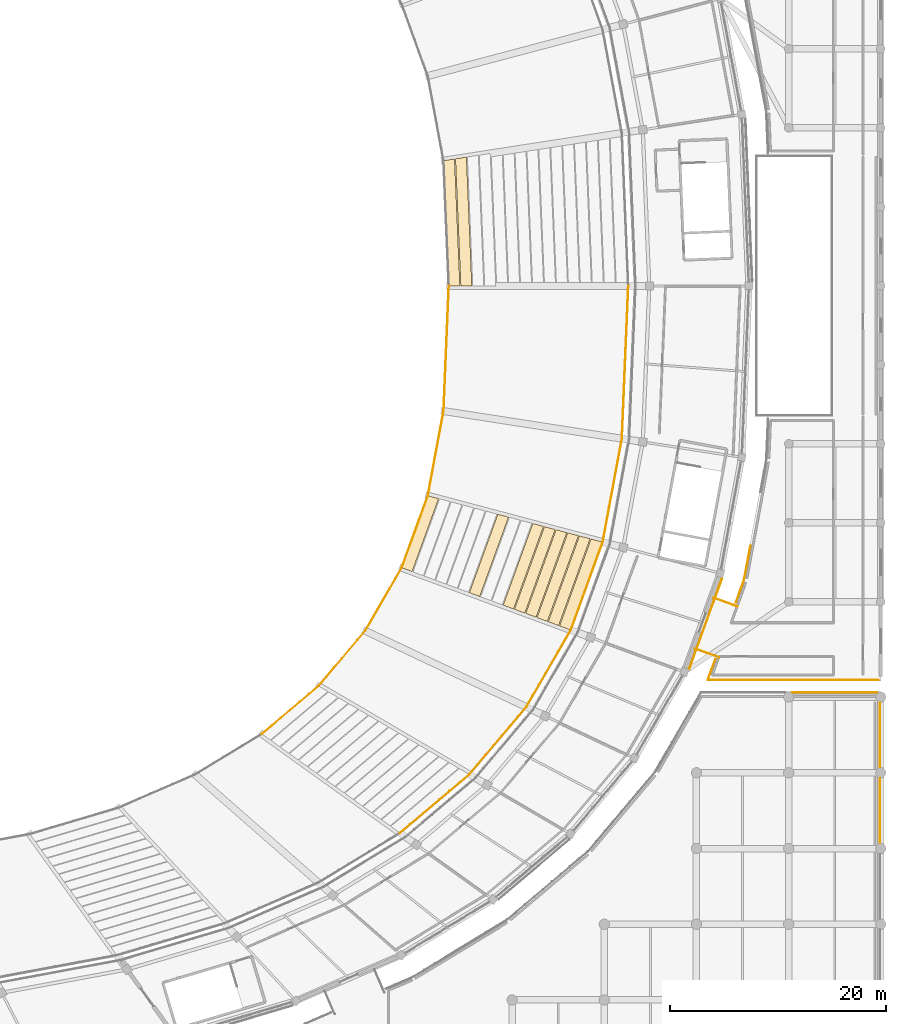
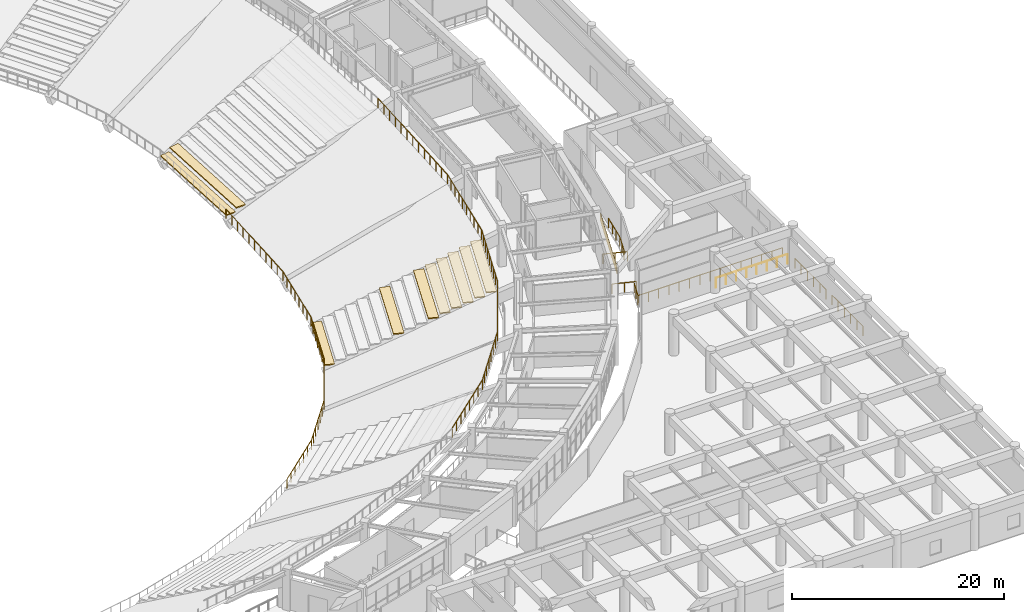
# One storey, part 126 of 137: 11 coverings, 9 railings.
"""IFC4 building model written with IfcOpenShell, lengths in metres."""

from ifc_helpers import new_model, si_unit, direction, frame, origin, origin_2d, place, context, subcontext, project, spatial, polyline, rectangle, circle, outline, extrude, material, layer, layer_set, type_object, element, save


model = new_model("IFC4")

# Units and contexts
model_context = context("Model", 3, precision=1e-05, world=origin(), true_north=direction((0.0, 1.0)))
body_context = subcontext(model_context, "Body", "Model", "MODEL_VIEW")
ifc_project = project(units=[si_unit("LENGTHUNIT", "METRE"), si_unit("AREAUNIT", "SQUARE_METRE"), si_unit("VOLUMEUNIT", "CUBIC_METRE"), si_unit("PLANEANGLEUNIT", "RADIAN"), si_unit("MASSUNIT", "GRAM", prefix="KILO")], contexts=[model_context])

# Site, building, storey
site_placement = place(None, origin())
site = spatial("IfcSite", under=ifc_project, at=site_placement, CompositionType="ELEMENT")
building_placement = place(site_placement, origin())
building = spatial("IfcBuilding", under=site, at=building_placement, Name="Mphavela Belvedere Stadium", CompositionType="ELEMENT")
storey_placement = place(building_placement, frame((0.0, 0.0, 19.199951171875)))
storey = spatial("IfcBuildingStorey", under=building, at=storey_placement, Name="L04", CompositionType="ELEMENT", Elevation=19.199951171875)

# Coverings
ifc_material_1 = material(Name="Carved classical limestone entablature frieze cladding", Category="masonry")
ifc_layer_1 = layer(ifc_material_1, 0.06005859375)
ifc_layer_set_1 = layer_set([ifc_layer_1], Name="Carved classical limestone entablature frieze cladding")
covering_type_1 = type_object("IfcCoveringType", Name="COV-FRIEZE-CLAD", PredefinedType="CLADDING", material=ifc_layer_set_1)
covering_1_placement = place(storey_placement, frame((213.811279296875, 55.7685546875, 3.594970703125), z_axis=(0.0, 0.0, 1.0), x_axis=(0.341035912161, 0.940050268133, 0.0)))
element("IfcCovering", 1, at=covering_1_placement, inside=storey, type_object=covering_type_1, Name="Classical entablature frieze cladding L04-46", PredefinedType="CLADDING", context=body_context, shape_type="SweptSolid", body=[
    extrude(rectangle(XDim=8.905517578125, YDim=0.06005859375, at=origin_2d()), origin(), (0.0, 0.0, 1.0), 0.85009765625),
])
ifc_material_2 = material(Name="Precast seating row terrazzo finish", Category="concrete")
ifc_layer_2 = layer(ifc_material_2, 0.1201171875)
ifc_layer_set_2 = layer_set([ifc_layer_2], Name="Precast seating row terrazzo finish")
covering_type_2 = type_object("IfcCoveringType", Name="COV-SEAT-ROW-U", PredefinedType="FLOORING", material=ifc_layer_set_2)
covering_2_placement = place(storey_placement, frame((0.0, 0.0, -3.4033203125)))
element("IfcCovering", 2, at=covering_2_placement, inside=storey, type_object=covering_type_2, Name="Upper stand seating row bench B01-R01", PredefinedType="FLOORING", context=body_context, shape_type="SweptSolid", body=[
    extrude(outline(polyline([(190.077880859375, 87.0), (189.5927734375, 98.56982421875), (190.603515625, 98.7265625), (191.09521484375, 87.0), (190.077880859375, 87.0)])), origin(), (0.0, 0.0, 1.0), 0.1201171875),
])
covering_3_placement = place(storey_placement, frame((0.0, 0.0, -2.936767578125)))
element("IfcCovering", 3, at=covering_3_placement, inside=storey, type_object=covering_type_2, Name="Upper stand seating row bench B01-R02", PredefinedType="FLOORING", context=body_context, shape_type="SweptSolid", body=[
    extrude(outline(polyline([(191.183837890625, 87.0), (190.69140625, 98.740234375), (191.7021484375, 98.89697265625), (192.201171875, 87.0), (191.183837890625, 87.0)])), origin(), (0.0, 0.0, 1.0), 0.1201171875),
])
covering_4_placement = place(storey_placement, frame((0.0, 0.0, -3.4033203125)))
element("IfcCovering", 4, at=covering_4_placement, inside=storey, type_object=covering_type_2, Name="Upper stand seating row bench B46-R01", PredefinedType="FLOORING", context=body_context, shape_type="SweptSolid", body=[
    extrude(outline(polyline([(185.72314453125, 60.9453125), (188.13916015625, 67.6044921875), (189.130126953125, 67.341552734375), (186.681396484375, 60.592041015625), (185.72314453125, 60.9453125)])), origin(), (0.0, 0.0, 1.0), 0.1201171875),
])
covering_5_placement = place(storey_placement, frame((0.0, 0.0, -0.603271484375)))
element("IfcCovering", 5, at=covering_5_placement, inside=storey, type_object=covering_type_2, Name="Upper stand seating row bench B46-R07", PredefinedType="FLOORING", context=body_context, shape_type="SweptSolid", body=[
    extrude(outline(polyline([(191.97314453125, 58.642578125), (194.6025390625, 65.890380859375), (195.593505859375, 65.62744140625), (192.931396484375, 58.28955078125), (191.97314453125, 58.642578125)])), origin(), (0.0, 0.0, 1.0), 0.1201171875),
])
covering_6_placement = place(storey_placement, frame((0.0, 0.0, 0.796630859375)))
element("IfcCovering", 6, at=covering_6_placement, inside=storey, type_object=covering_type_2, Name="Upper stand seating row bench B46-R10", PredefinedType="FLOORING", context=body_context, shape_type="SweptSolid", body=[
    extrude(outline(polyline([(195.09814453125, 57.491455078125), (197.834228515625, 65.033203125), (198.8251953125, 64.7705078125), (196.056396484375, 57.138427734375), (195.09814453125, 57.491455078125)])), origin(), (0.0, 0.0, 1.0), 0.1201171875),
])
covering_7_placement = place(storey_placement, frame((0.0, 0.0, 1.263427734375)))
element("IfcCovering", 7, at=covering_7_placement, inside=storey, type_object=covering_type_2, Name="Upper stand seating row bench B46-R11", PredefinedType="FLOORING", context=body_context, shape_type="SweptSolid", body=[
    extrude(outline(polyline([(196.139892578125, 57.107666015625), (198.91162109375, 64.74755859375), (199.902587890625, 64.48486328125), (197.09814453125, 56.754638671875), (196.139892578125, 57.107666015625)])), origin(), (0.0, 0.0, 1.0), 0.119873046875),
])
covering_8_placement = place(storey_placement, frame((0.0, 0.0, 1.72998046875)))
element("IfcCovering", 8, at=covering_8_placement, inside=storey, type_object=covering_type_2, Name="Upper stand seating row bench B46-R12", PredefinedType="FLOORING", context=body_context, shape_type="SweptSolid", body=[
    extrude(outline(polyline([(197.181396484375, 56.723876953125), (199.98876953125, 64.4619140625), (200.979736328125, 64.19921875), (198.139892578125, 56.370849609375), (197.181396484375, 56.723876953125)])), origin(), (0.0, 0.0, 1.0), 0.1201171875),
])
covering_9_placement = place(storey_placement, frame((0.0, 0.0, 2.19677734375)))
element("IfcCovering", 9, at=covering_9_placement, inside=storey, type_object=covering_type_2, Name="Upper stand seating row bench B46-R13", PredefinedType="FLOORING", context=body_context, shape_type="SweptSolid", body=[
    extrude(outline(polyline([(198.22314453125, 56.340087890625), (201.06591796875, 64.17626953125), (202.05712890625, 63.91357421875), (199.181396484375, 55.987060546875), (198.22314453125, 56.340087890625)])), origin(), (0.0, 0.0, 1.0), 0.119873046875),
])
covering_10_placement = place(storey_placement, frame((0.0, 0.0, 2.663330078125)))
element("IfcCovering", 10, at=covering_10_placement, inside=storey, type_object=covering_type_2, Name="Upper stand seating row bench B46-R14", PredefinedType="FLOORING", context=body_context, shape_type="SweptSolid", body=[
    extrude(outline(polyline([(199.264892578125, 55.956298828125), (202.143310546875, 63.890625), (203.13427734375, 63.627685546875), (200.22314453125, 55.603515625), (199.264892578125, 55.956298828125)])), origin(), (0.0, 0.0, 1.0), 0.1201171875),
])
covering_11_placement = place(storey_placement, frame((0.0, 0.0, 3.130126953125)))
element("IfcCovering", 11, at=covering_11_placement, inside=storey, type_object=covering_type_2, Name="Upper stand seating row bench B46-R15", PredefinedType="FLOORING", context=body_context, shape_type="SweptSolid", body=[
    extrude(outline(polyline([(200.306396484375, 55.57275390625), (203.220458984375, 63.60498046875), (204.21142578125, 63.342041015625), (201.264892578125, 55.219482421875), (200.306396484375, 55.57275390625)])), origin(), (0.0, 0.0, 1.0), 0.119873046875),
])

# Railings
ifc_material_3 = material(Name="Bronze and laminated glass stadium balustrade", Category="glass")
railing_type = type_object("IfcRailingType", Name="RAL-BALUSTRADE-1120", PredefinedType="BALUSTRADE", material=ifc_material_3)
railing_1_placement = place(storey_placement, frame((212.845703125, 53.459228515625, 0.0)))
element("IfcRailing", 12, at=railing_1_placement, inside=storey, type_object=railing_type, Name="Colonnade link bridge balustrade L04-46A", PredefinedType="BALUSTRADE", context=body_context, shape_type="SweptSolid", body=[
    extrude(circle(Radius=0.02392578125, at=origin_2d()), frame((0.0, 0.0, 1.09619140625), z_axis=(0.940044916205, -0.341050664151, 0.0), x_axis=(0.341050664151, 0.940044916205, 0.0)), (0.0, 0.0, 1.0), 2.35009765625),
    extrude(circle(Radius=0.02099609375, at=origin_2d()), origin(), (0.0, 0.0, 1.0), 1.072021484375),
    extrude(circle(Radius=0.02099609375, at=origin_2d()), frame((1.1044921875, -0.40087890625, 0.0)), (0.0, 0.0, 1.0), 1.072021484375),
    extrude(circle(Radius=0.02099609375, at=origin_2d()), frame((2.209228515625, -0.801513671875, 0.0)), (0.0, 0.0, 1.0), 1.072021484375),
])
railing_2_placement = place(storey_placement, frame((214.55078125, 58.159423828125, 0.0)))
element("IfcRailing", 13, at=railing_2_placement, inside=storey, type_object=railing_type, Name="Colonnade link bridge balustrade L04-46B", PredefinedType="BALUSTRADE", context=body_context, shape_type="SweptSolid", body=[
    extrude(circle(Radius=0.02392578125, at=origin_2d()), frame((0.0, 0.0, 1.09619140625), z_axis=(0.940078218368, -0.340958858734, 0.0), x_axis=(0.340958858734, 0.940078218368, 0.0)), (0.0, 0.0, 1.0), 2.35009765625),
    extrude(circle(Radius=0.02099609375, at=origin_2d()), origin(), (0.0, 0.0, 1.0), 1.072021484375),
    extrude(circle(Radius=0.02099609375, at=origin_2d()), frame((1.1044921875, -0.400634765625, 0.0)), (0.0, 0.0, 1.0), 1.072021484375),
    extrude(circle(Radius=0.02099609375, at=origin_2d()), frame((2.209228515625, -0.80126953125, 0.0)), (0.0, 0.0, 1.0), 1.072021484375),
])
railing_3_placement = place(storey_placement, frame((172.798583984375, 45.587646484375, -3.75)))
element("IfcRailing", 14, at=railing_3_placement, inside=storey, type_object=railing_type, Name="Bowl safety balustrade t2_front S8", PredefinedType="BALUSTRADE", context=body_context, shape_type="SweptSolid", body=[
    extrude(circle(Radius=0.02392578125, at=origin_2d()), frame((0.0, 0.0, 1.09619140625), z_axis=(0.764246549785, 0.644924190229, 0.0), x_axis=(-0.644924190229, 0.764246549785, 0.0)), (0.0, 0.0, 1.0), 6.862548828125),
    extrude(circle(Radius=0.02392578125, at=origin_2d()), frame((5.24462890625, 4.42578125, 1.09619140625), z_axis=(0.645180343886, 0.764030316063, 0.0), x_axis=(-0.764030316063, 0.645180343886, 0.0)), (0.0, 0.0, 1.0), 6.682373046875),
    extrude(circle(Radius=0.02392578125, at=origin_2d()), frame((9.555908203125, 9.53125, 1.09619140625), z_axis=(0.500531411911, 0.865718375507, 0.0), x_axis=(-0.865718375507, 0.500531411911, 0.0)), (0.0, 0.0, 1.0), 6.730224609375),
    extrude(circle(Radius=0.02392578125, at=origin_2d()), frame((12.924560546875, 15.357666015625, 1.09619140625), z_axis=(0.341056708776, 0.940042723178, 0.0), x_axis=(-0.940042723178, 0.341056708776, 0.0)), (0.0, 0.0, 1.0), 7.083984375),
    extrude(circle(Radius=0.02392578125, at=origin_2d()), frame((15.340576171875, 22.016845703125, 1.09619140625), z_axis=(0.18262523239, 0.983182599772, 0.0), x_axis=(-0.983182599772, 0.18262523239, 0.0)), (0.0, 0.0, 1.0), 7.95947265625),
    extrude(circle(Radius=0.02392578125, at=origin_2d()), frame((16.794189453125, 29.842529296875, 1.09619140625), z_axis=(0.04189186986, 0.99912215031, 0.0), x_axis=(-0.99912215031, 0.04189186986, 0.0)), (0.0, 0.0, 1.0), 11.580078125),
    extrude(circle(Radius=0.02099609375, at=origin_2d()), origin(), (0.0, 0.0, 1.0), 1.072021484375),
    extrude(circle(Radius=0.02099609375, at=origin_2d()), frame((0.8740234375, 0.737548828125, 0.0)), (0.0, 0.0, 1.0), 1.072021484375),
    extrude(circle(Radius=0.02099609375, at=origin_2d()), frame((1.748291015625, 1.475341796875, 0.0)), (0.0, 0.0, 1.0), 1.072021484375),
    extrude(circle(Radius=0.02099609375, at=origin_2d()), frame((2.622314453125, 2.212890625, 0.0)), (0.0, 0.0, 1.0), 1.072021484375),
    extrude(circle(Radius=0.02099609375, at=origin_2d()), frame((3.496337890625, 2.950439453125, 0.0)), (0.0, 0.0, 1.0), 1.072021484375),
    extrude(circle(Radius=0.02099609375, at=origin_2d()), frame((4.37060546875, 3.688232421875, 0.0)), (0.0, 0.0, 1.0), 1.072021484375),
    extrude(circle(Radius=0.02099609375, at=origin_2d()), frame((5.24462890625, 4.42578125, 0.0)), (0.0, 0.0, 1.0), 1.072021484375),
    extrude(circle(Radius=0.02099609375, at=origin_2d()), frame((5.963134765625, 5.276611328125, 0.0)), (0.0, 0.0, 1.0), 1.072021484375),
    extrude(circle(Radius=0.02099609375, at=origin_2d()), frame((6.681640625, 6.127685546875, 0.0)), (0.0, 0.0, 1.0), 1.072021484375),
    extrude(circle(Radius=0.02099609375, at=origin_2d()), frame((7.400390625, 6.978515625, 0.0)), (0.0, 0.0, 1.0), 1.072021484375),
    extrude(circle(Radius=0.02099609375, at=origin_2d()), frame((8.118896484375, 7.829345703125, 0.0)), (0.0, 0.0, 1.0), 1.072021484375),
    extrude(circle(Radius=0.02099609375, at=origin_2d()), frame((8.83740234375, 8.680419921875, 0.0)), (0.0, 0.0, 1.0), 1.072021484375),
    extrude(circle(Radius=0.02099609375, at=origin_2d()), frame((9.555908203125, 9.53125, 0.0)), (0.0, 0.0, 1.0), 1.072021484375),
    extrude(circle(Radius=0.02099609375, at=origin_2d()), frame((10.117431640625, 10.50244140625, 0.0)), (0.0, 0.0, 1.0), 1.072021484375),
    extrude(circle(Radius=0.02099609375, at=origin_2d()), frame((10.6787109375, 11.473388671875, 0.0)), (0.0, 0.0, 1.0), 1.072021484375),
    extrude(circle(Radius=0.02099609375, at=origin_2d()), frame((11.240234375, 12.4443359375, 0.0)), (0.0, 0.0, 1.0), 1.072021484375),
    extrude(circle(Radius=0.02099609375, at=origin_2d()), frame((11.8017578125, 13.41552734375, 0.0)), (0.0, 0.0, 1.0), 1.072021484375),
    extrude(circle(Radius=0.02099609375, at=origin_2d()), frame((12.363037109375, 14.38671875, 0.0)), (0.0, 0.0, 1.0), 1.072021484375),
    extrude(circle(Radius=0.02099609375, at=origin_2d()), frame((12.924560546875, 15.357666015625, 0.0)), (0.0, 0.0, 1.0), 1.072021484375),
    extrude(circle(Radius=0.02099609375, at=origin_2d()), frame((13.3271484375, 16.467529296875, 0.0)), (0.0, 0.0, 1.0), 1.072021484375),
    extrude(circle(Radius=0.02099609375, at=origin_2d()), frame((13.72998046875, 17.577392578125, 0.0)), (0.0, 0.0, 1.0), 1.072021484375),
    extrude(circle(Radius=0.02099609375, at=origin_2d()), frame((14.132568359375, 18.687255859375, 0.0)), (0.0, 0.0, 1.0), 1.072021484375),
    extrude(circle(Radius=0.02099609375, at=origin_2d()), frame((14.53515625, 19.797119140625, 0.0)), (0.0, 0.0, 1.0), 1.072021484375),
    extrude(circle(Radius=0.02099609375, at=origin_2d()), frame((14.93798828125, 20.906982421875, 0.0)), (0.0, 0.0, 1.0), 1.072021484375),
    extrude(circle(Radius=0.02099609375, at=origin_2d()), frame((15.340576171875, 22.016845703125, 0.0)), (0.0, 0.0, 1.0), 1.072021484375),
    extrude(circle(Radius=0.02099609375, at=origin_2d()), frame((15.54833984375, 23.134765625, 0.0)), (0.0, 0.0, 1.0), 1.072021484375),
    extrude(circle(Radius=0.02099609375, at=origin_2d()), frame((15.755859375, 24.252685546875, 0.0)), (0.0, 0.0, 1.0), 1.072021484375),
    extrude(circle(Radius=0.02099609375, at=origin_2d()), frame((15.963623046875, 25.37060546875, 0.0)), (0.0, 0.0, 1.0), 1.072021484375),
    extrude(circle(Radius=0.02099609375, at=origin_2d()), frame((16.171142578125, 26.48876953125, 0.0)), (0.0, 0.0, 1.0), 1.072021484375),
    extrude(circle(Radius=0.02099609375, at=origin_2d()), frame((16.37890625, 27.606689453125, 0.0)), (0.0, 0.0, 1.0), 1.072021484375),
    extrude(circle(Radius=0.02099609375, at=origin_2d()), frame((16.58642578125, 28.724609375, 0.0)), (0.0, 0.0, 1.0), 1.072021484375),
    extrude(circle(Radius=0.02099609375, at=origin_2d()), frame((16.794189453125, 29.842529296875, 0.0)), (0.0, 0.0, 1.0), 1.072021484375),
    extrude(circle(Radius=0.02099609375, at=origin_2d()), frame((16.8427734375, 30.99951171875, 0.0)), (0.0, 0.0, 1.0), 1.072021484375),
    extrude(circle(Radius=0.02099609375, at=origin_2d()), frame((16.89111328125, 32.156494140625, 0.0)), (0.0, 0.0, 1.0), 1.072021484375),
    extrude(circle(Radius=0.02099609375, at=origin_2d()), frame((16.939697265625, 33.3134765625, 0.0)), (0.0, 0.0, 1.0), 1.072021484375),
    extrude(circle(Radius=0.02099609375, at=origin_2d()), frame((16.98828125, 34.470458984375, 0.0)), (0.0, 0.0, 1.0), 1.072021484375),
    extrude(circle(Radius=0.02099609375, at=origin_2d()), frame((17.03662109375, 35.62744140625, 0.0)), (0.0, 0.0, 1.0), 1.072021484375),
    extrude(circle(Radius=0.02099609375, at=origin_2d()), frame((17.085205078125, 36.784423828125, 0.0)), (0.0, 0.0, 1.0), 1.072021484375),
    extrude(circle(Radius=0.02099609375, at=origin_2d()), frame((17.1337890625, 37.94140625, 0.0)), (0.0, 0.0, 1.0), 1.072021484375),
    extrude(circle(Radius=0.02099609375, at=origin_2d()), frame((17.182373046875, 39.098388671875, 0.0)), (0.0, 0.0, 1.0), 1.072021484375),
    extrude(circle(Radius=0.02099609375, at=origin_2d()), frame((17.230712890625, 40.25537109375, 0.0)), (0.0, 0.0, 1.0), 1.072021484375),
    extrude(circle(Radius=0.02099609375, at=origin_2d()), frame((17.279296875, 41.412353515625, 0.0)), (0.0, 0.0, 1.0), 1.072021484375),
])
railing_4_placement = place(storey_placement, frame((185.56787109375, 36.4384765625, 3.25)))
element("IfcRailing", 15, at=railing_4_placement, inside=storey, type_object=railing_type, Name="Bowl safety balustrade t2_rear S8", PredefinedType="BALUSTRADE", context=body_context, shape_type="SweptSolid", body=[
    extrude(circle(Radius=0.02392578125, at=origin_2d()), frame((0.0, 0.0, 1.09619140625), z_axis=(0.764273082573, 0.644892747093, 0.0), x_axis=(-0.644892747093, 0.764273082573, 0.0)), (0.0, 0.0, 1.0), 8.378662109375),
    extrude(circle(Radius=0.02392578125, at=origin_2d()), frame((6.403564453125, 5.4033203125, 1.09619140625), z_axis=(0.645159856171, 0.764047616308, 0.0), x_axis=(-0.764047616308, 0.645159856171, 0.0)), (0.0, 0.0, 1.0), 8.15869140625),
    extrude(circle(Radius=0.02392578125, at=origin_2d()), frame((11.667236328125, 11.636962890625, 1.09619140625), z_axis=(0.500551313395, 0.865706868783, 0.0), x_axis=(-0.865706868783, 0.500551313395, 0.0)), (0.0, 0.0, 1.0), 8.217041015625),
    extrude(circle(Radius=0.02392578125, at=origin_2d()), frame((15.7802734375, 18.75048828125, 1.09619140625), z_axis=(0.341024484254, 0.940054413925, 0.0), x_axis=(-0.940054413925, 0.341024484254, 0.0)), (0.0, 0.0, 1.0), 8.64892578125),
    extrude(circle(Radius=0.02392578125, at=origin_2d()), frame((18.729736328125, 26.880859375, 1.09619140625), z_axis=(0.182637987413, 0.983180230453, 0.0), x_axis=(-0.983180230453, 0.182637987413, 0.0)), (0.0, 0.0, 1.0), 9.71826171875),
    extrude(circle(Radius=0.02392578125, at=origin_2d()), frame((20.504638671875, 36.435546875, 1.09619140625), z_axis=(0.041909223859, 0.999121422529, 0.0), x_axis=(-0.999121422529, 0.041909223859, 0.0)), (0.0, 0.0, 1.0), 14.138427734375),
    extrude(circle(Radius=0.02099609375, at=origin_2d()), origin(), (0.0, 0.0, 1.0), 1.072021484375),
    extrude(circle(Radius=0.02099609375, at=origin_2d()), frame((0.914794921875, 0.77197265625, 0.0)), (0.0, 0.0, 1.0), 1.072021484375),
    extrude(circle(Radius=0.02099609375, at=origin_2d()), frame((1.82958984375, 1.543701171875, 0.0)), (0.0, 0.0, 1.0), 1.072021484375),
    extrude(circle(Radius=0.02099609375, at=origin_2d()), frame((2.744384765625, 2.315673828125, 0.0)), (0.0, 0.0, 1.0), 1.072021484375),
    extrude(circle(Radius=0.02099609375, at=origin_2d()), frame((3.6591796875, 3.087646484375, 0.0)), (0.0, 0.0, 1.0), 1.072021484375),
    extrude(circle(Radius=0.02099609375, at=origin_2d()), frame((4.573974609375, 3.859619140625, 0.0)), (0.0, 0.0, 1.0), 1.072021484375),
    extrude(circle(Radius=0.02099609375, at=origin_2d()), frame((5.48876953125, 4.63134765625, 0.0)), (0.0, 0.0, 1.0), 1.072021484375),
    extrude(circle(Radius=0.02099609375, at=origin_2d()), frame((6.403564453125, 5.4033203125, 0.0)), (0.0, 0.0, 1.0), 1.072021484375),
    extrude(circle(Radius=0.02099609375, at=origin_2d()), frame((7.155517578125, 6.2939453125, 0.0)), (0.0, 0.0, 1.0), 1.072021484375),
    extrude(circle(Radius=0.02099609375, at=origin_2d()), frame((7.907470703125, 7.184326171875, 0.0)), (0.0, 0.0, 1.0), 1.072021484375),
    extrude(circle(Radius=0.02099609375, at=origin_2d()), frame((8.659423828125, 8.074951171875, 0.0)), (0.0, 0.0, 1.0), 1.072021484375),
    extrude(circle(Radius=0.02099609375, at=origin_2d()), frame((9.411376953125, 8.96533203125, 0.0)), (0.0, 0.0, 1.0), 1.072021484375),
    extrude(circle(Radius=0.02099609375, at=origin_2d()), frame((10.163330078125, 9.85595703125, 0.0)), (0.0, 0.0, 1.0), 1.072021484375),
    extrude(circle(Radius=0.02099609375, at=origin_2d()), frame((10.915283203125, 10.746337890625, 0.0)), (0.0, 0.0, 1.0), 1.072021484375),
    extrude(circle(Radius=0.02099609375, at=origin_2d()), frame((11.667236328125, 11.636962890625, 0.0)), (0.0, 0.0, 1.0), 1.072021484375),
    extrude(circle(Radius=0.02099609375, at=origin_2d()), frame((12.2548828125, 12.653076171875, 0.0)), (0.0, 0.0, 1.0), 1.072021484375),
    extrude(circle(Radius=0.02099609375, at=origin_2d()), frame((12.84228515625, 13.66943359375, 0.0)), (0.0, 0.0, 1.0), 1.072021484375),
    extrude(circle(Radius=0.02099609375, at=origin_2d()), frame((13.429931640625, 14.685546875, 0.0)), (0.0, 0.0, 1.0), 1.072021484375),
    extrude(circle(Radius=0.02099609375, at=origin_2d()), frame((14.017578125, 15.701904296875, 0.0)), (0.0, 0.0, 1.0), 1.072021484375),
    extrude(circle(Radius=0.02099609375, at=origin_2d()), frame((14.605224609375, 16.718017578125, 0.0)), (0.0, 0.0, 1.0), 1.072021484375),
    extrude(circle(Radius=0.02099609375, at=origin_2d()), frame((15.192626953125, 17.734375, 0.0)), (0.0, 0.0, 1.0), 1.072021484375),
    extrude(circle(Radius=0.02099609375, at=origin_2d()), frame((15.7802734375, 18.75048828125, 0.0)), (0.0, 0.0, 1.0), 1.072021484375),
    extrude(circle(Radius=0.02099609375, at=origin_2d()), frame((16.14892578125, 19.766845703125, 0.0)), (0.0, 0.0, 1.0), 1.072021484375),
    extrude(circle(Radius=0.02099609375, at=origin_2d()), frame((16.517578125, 20.783203125, 0.0)), (0.0, 0.0, 1.0), 1.072021484375),
    extrude(circle(Radius=0.02099609375, at=origin_2d()), frame((16.88623046875, 21.79931640625, 0.0)), (0.0, 0.0, 1.0), 1.072021484375),
    extrude(circle(Radius=0.02099609375, at=origin_2d()), frame((17.2548828125, 22.815673828125, 0.0)), (0.0, 0.0, 1.0), 1.072021484375),
    extrude(circle(Radius=0.02099609375, at=origin_2d()), frame((17.623779296875, 23.83203125, 0.0)), (0.0, 0.0, 1.0), 1.072021484375),
    extrude(circle(Radius=0.02099609375, at=origin_2d()), frame((17.992431640625, 24.84814453125, 0.0)), (0.0, 0.0, 1.0), 1.072021484375),
    extrude(circle(Radius=0.02099609375, at=origin_2d()), frame((18.361083984375, 25.864501953125, 0.0)), (0.0, 0.0, 1.0), 1.072021484375),
    extrude(circle(Radius=0.02099609375, at=origin_2d()), frame((18.729736328125, 26.880859375, 0.0)), (0.0, 0.0, 1.0), 1.072021484375),
    extrude(circle(Radius=0.02099609375, at=origin_2d()), frame((18.927001953125, 27.9423828125, 0.0)), (0.0, 0.0, 1.0), 1.072021484375),
    extrude(circle(Radius=0.02099609375, at=origin_2d()), frame((19.124267578125, 29.004150390625, 0.0)), (0.0, 0.0, 1.0), 1.072021484375),
    extrude(circle(Radius=0.02099609375, at=origin_2d()), frame((19.3212890625, 30.065673828125, 0.0)), (0.0, 0.0, 1.0), 1.072021484375),
    extrude(circle(Radius=0.02099609375, at=origin_2d()), frame((19.5185546875, 31.12744140625, 0.0)), (0.0, 0.0, 1.0), 1.072021484375),
    extrude(circle(Radius=0.02099609375, at=origin_2d()), frame((19.7158203125, 32.18896484375, 0.0)), (0.0, 0.0, 1.0), 1.072021484375),
    extrude(circle(Radius=0.02099609375, at=origin_2d()), frame((19.9130859375, 33.250732421875, 0.0)), (0.0, 0.0, 1.0), 1.072021484375),
    extrude(circle(Radius=0.02099609375, at=origin_2d()), frame((20.110107421875, 34.312255859375, 0.0)), (0.0, 0.0, 1.0), 1.072021484375),
    extrude(circle(Radius=0.02099609375, at=origin_2d()), frame((20.307373046875, 35.3740234375, 0.0)), (0.0, 0.0, 1.0), 1.072021484375),
    extrude(circle(Radius=0.02099609375, at=origin_2d()), frame((20.504638671875, 36.435546875, 0.0)), (0.0, 0.0, 1.0), 1.072021484375),
    extrude(circle(Radius=0.02099609375, at=origin_2d()), frame((20.553955078125, 37.61279296875, 0.0)), (0.0, 0.0, 1.0), 1.072021484375),
    extrude(circle(Radius=0.02099609375, at=origin_2d()), frame((20.603515625, 38.789794921875, 0.0)), (0.0, 0.0, 1.0), 1.072021484375),
    extrude(circle(Radius=0.02099609375, at=origin_2d()), frame((20.65283203125, 39.967041015625, 0.0)), (0.0, 0.0, 1.0), 1.072021484375),
    extrude(circle(Radius=0.02099609375, at=origin_2d()), frame((20.7021484375, 41.144287109375, 0.0)), (0.0, 0.0, 1.0), 1.072021484375),
    extrude(circle(Radius=0.02099609375, at=origin_2d()), frame((20.75146484375, 42.3212890625, 0.0)), (0.0, 0.0, 1.0), 1.072021484375),
    extrude(circle(Radius=0.02099609375, at=origin_2d()), frame((20.80078125, 43.49853515625, 0.0)), (0.0, 0.0, 1.0), 1.072021484375),
    extrude(circle(Radius=0.02099609375, at=origin_2d()), frame((20.850341796875, 44.67578125, 0.0)), (0.0, 0.0, 1.0), 1.072021484375),
    extrude(circle(Radius=0.02099609375, at=origin_2d()), frame((20.899658203125, 45.852783203125, 0.0)), (0.0, 0.0, 1.0), 1.072021484375),
    extrude(circle(Radius=0.02099609375, at=origin_2d()), frame((20.948974609375, 47.030029296875, 0.0)), (0.0, 0.0, 1.0), 1.072021484375),
    extrude(circle(Radius=0.02099609375, at=origin_2d()), frame((20.99853515625, 48.207275390625, 0.0)), (0.0, 0.0, 1.0), 1.072021484375),
    extrude(circle(Radius=0.02099609375, at=origin_2d()), frame((21.0478515625, 49.38427734375, 0.0)), (0.0, 0.0, 1.0), 1.072021484375),
    extrude(circle(Radius=0.02099609375, at=origin_2d()), frame((21.09716796875, 50.5615234375, 0.0)), (0.0, 0.0, 1.0), 1.072021484375),
])
railing_5_placement = place(storey_placement, frame((221.835693359375, 49.419921875, 0.0)))
element("IfcRailing", 16, at=railing_5_placement, inside=storey, type_object=railing_type, Name="Peristyle wing gallery edge balustrade L04-08", PredefinedType="BALUSTRADE", context=body_context, shape_type="SweptSolid", body=[
    extrude(circle(Radius=0.02392578125, at=origin_2d()), frame((0.0, 0.0, 1.09619140625), z_axis=(1.0, 0.0, 0.0), x_axis=(0.0, 1.0, 0.0)), (0.0, 0.0, 1.0), 7.809814453125),
    extrude(circle(Radius=0.02099609375, at=origin_2d()), origin(), (0.0, 0.0, 1.0), 1.072021484375),
    extrude(circle(Radius=0.02099609375, at=origin_2d()), frame((1.11572265625, 0.0, 0.0)), (0.0, 0.0, 1.0), 1.072021484375),
    extrude(circle(Radius=0.02099609375, at=origin_2d()), frame((2.2314453125, 0.0, 0.0)), (0.0, 0.0, 1.0), 1.072021484375),
    extrude(circle(Radius=0.02099609375, at=origin_2d()), frame((3.34716796875, 0.0, 0.0)), (0.0, 0.0, 1.0), 1.072021484375),
    extrude(circle(Radius=0.02099609375, at=origin_2d()), frame((4.462646484375, 0.0, 0.0)), (0.0, 0.0, 1.0), 1.072021484375),
    extrude(circle(Radius=0.02099609375, at=origin_2d()), frame((5.578369140625, 0.0, 0.0)), (0.0, 0.0, 1.0), 1.072021484375),
    extrude(circle(Radius=0.02099609375, at=origin_2d()), frame((6.694091796875, 0.0, 0.0)), (0.0, 0.0, 1.0), 1.072021484375),
    extrude(circle(Radius=0.02099609375, at=origin_2d()), frame((7.809814453125, 0.0, 0.0)), (0.0, 0.0, 1.0), 1.072021484375),
])
for number, where, name in (
    (17, (229.919921875, 48.45654296875, 0.0), "Peristyle wing gallery edge balustrade L04-09"),
    (18, (229.919921875, 41.45654296875, 0.0), "Peristyle wing gallery edge balustrade L04-10"),
):
    element("IfcRailing", number, at=place(storey_placement, frame(where)), inside=storey, type_object=railing_type, Name=name, PredefinedType="BALUSTRADE", context=body_context, shape_type="SweptSolid", body=[
        extrude(circle(Radius=0.02392578125, at=origin_2d()), frame((0.0, 0.0, 1.09619140625), z_axis=(0.0, -1.0, 0.0), x_axis=(1.0, 0.0, 0.0)), (0.0, 0.0, 1.0), 5.9130859375),
        extrude(circle(Radius=0.02099609375, at=origin_2d()), origin(), (0.0, 0.0, 1.0), 1.072021484375),
        extrude(circle(Radius=0.02099609375, at=origin_2d()), frame((0.0, -1.1826171875, 0.0)), (0.0, 0.0, 1.0), 1.072021484375),
        extrude(circle(Radius=0.02099609375, at=origin_2d()), frame((0.0, -2.365234375, 0.0)), (0.0, 0.0, 1.0), 1.072021484375),
        extrude(circle(Radius=0.02099609375, at=origin_2d()), frame((0.0, -3.5478515625, 0.0)), (0.0, 0.0, 1.0), 1.072021484375),
        extrude(circle(Radius=0.02099609375, at=origin_2d()), frame((0.0, -4.73046875, 0.0)), (0.0, 0.0, 1.0), 1.072021484375),
        extrude(circle(Radius=0.02099609375, at=origin_2d()), frame((0.0, -5.9130859375, 0.0)), (0.0, 0.0, 1.0), 1.072021484375),
    ])
railing_6_placement = place(storey_placement, frame((216.601806640625, 57.71337890625, 0.0)))
element("IfcRailing", 19, at=railing_6_placement, inside=storey, type_object=railing_type, Name="Peristyle wing gallery edge balustrade L04-60", PredefinedType="BALUSTRADE", context=body_context, shape_type="SweptSolid", body=[
    extrude(circle(Radius=0.02392578125, at=origin_2d()), frame((0.0, 0.0, 1.09619140625), z_axis=(0.337621951524, 0.941281795133, 0.0), x_axis=(-0.941281795133, 0.337621951524, 0.0)), (0.0, 0.0, 1.0), 2.26123046875),
    extrude(circle(Radius=0.02392578125, at=origin_2d()), frame((0.763427734375, 2.12841796875, 1.09619140625), z_axis=(0.184941248651, 0.982749578757, 0.0), x_axis=(-0.982749578757, 0.184941248651, 0.0)), (0.0, 0.0, 1.0), 3.18408203125),
    extrude(circle(Radius=0.02099609375, at=origin_2d()), origin(), (0.0, 0.0, 1.0), 1.072021484375),
    extrude(circle(Radius=0.02099609375, at=origin_2d()), frame((0.3818359375, 1.064208984375, 0.0)), (0.0, 0.0, 1.0), 1.072021484375),
    extrude(circle(Radius=0.02099609375, at=origin_2d()), frame((0.763427734375, 2.12841796875, 0.0)), (0.0, 0.0, 1.0), 1.072021484375),
    extrude(circle(Radius=0.02099609375, at=origin_2d()), frame((0.959716796875, 3.17138671875, 0.0)), (0.0, 0.0, 1.0), 1.072021484375),
    extrude(circle(Radius=0.02099609375, at=origin_2d()), frame((1.156005859375, 4.214599609375, 0.0)), (0.0, 0.0, 1.0), 1.072021484375),
    extrude(circle(Radius=0.02099609375, at=origin_2d()), frame((1.352294921875, 5.257568359375, 0.0)), (0.0, 0.0, 1.0), 1.072021484375),
])
railing_7_placement = place(storey_placement, frame((229.7666015625, 50.580078125, 0.0)))
element("IfcRailing", 20, at=railing_7_placement, inside=storey, type_object=railing_type, Name="Peristyle wing gallery edge balustrade L04-64", PredefinedType="BALUSTRADE", context=body_context, shape_type="SweptSolid", body=[
    extrude(circle(Radius=0.02392578125, at=origin_2d()), frame((0.0, 0.0, 1.09619140625), z_axis=(-1.0, 0.0, 0.0), x_axis=(0.0, -1.0, 0.0)), (0.0, 0.0, 1.0), 15.756103515625),
    extrude(circle(Radius=0.02392578125, at=origin_2d()), frame((-15.756103515625, 0.0, 1.09619140625), z_axis=(0.342380499121, 0.939561383743, 0.0), x_axis=(-0.939561383743, 0.342380499121, 0.0)), (0.0, 0.0, 1.0), 2.029296875),
    extrude(circle(Radius=0.02099609375, at=origin_2d()), origin(), (0.0, 0.0, 1.0), 1.072021484375),
    extrude(circle(Radius=0.02099609375, at=origin_2d()), frame((-1.12548828125, 0.0, 0.0)), (0.0, 0.0, 1.0), 1.072021484375),
    extrude(circle(Radius=0.02099609375, at=origin_2d()), frame((-2.2509765625, 0.0, 0.0)), (0.0, 0.0, 1.0), 1.072021484375),
    extrude(circle(Radius=0.02099609375, at=origin_2d()), frame((-3.376220703125, 0.0, 0.0)), (0.0, 0.0, 1.0), 1.072021484375),
    extrude(circle(Radius=0.02099609375, at=origin_2d()), frame((-4.501708984375, 0.0, 0.0)), (0.0, 0.0, 1.0), 1.072021484375),
    extrude(circle(Radius=0.02099609375, at=origin_2d()), frame((-5.627197265625, 0.0, 0.0)), (0.0, 0.0, 1.0), 1.072021484375),
    extrude(circle(Radius=0.02099609375, at=origin_2d()), frame((-6.752685546875, 0.0, 0.0)), (0.0, 0.0, 1.0), 1.072021484375),
    extrude(circle(Radius=0.02099609375, at=origin_2d()), frame((-7.8779296875, 0.0, 0.0)), (0.0, 0.0, 1.0), 1.072021484375),
    extrude(circle(Radius=0.02099609375, at=origin_2d()), frame((-9.00341796875, 0.0, 0.0)), (0.0, 0.0, 1.0), 1.072021484375),
    extrude(circle(Radius=0.02099609375, at=origin_2d()), frame((-10.12890625, 0.0, 0.0)), (0.0, 0.0, 1.0), 1.072021484375),
    extrude(circle(Radius=0.02099609375, at=origin_2d()), frame((-11.25439453125, 0.0, 0.0)), (0.0, 0.0, 1.0), 1.072021484375),
    extrude(circle(Radius=0.02099609375, at=origin_2d()), frame((-12.3798828125, 0.0, 0.0)), (0.0, 0.0, 1.0), 1.072021484375),
    extrude(circle(Radius=0.02099609375, at=origin_2d()), frame((-13.505126953125, 0.0, 0.0)), (0.0, 0.0, 1.0), 1.072021484375),
    extrude(circle(Radius=0.02099609375, at=origin_2d()), frame((-14.630615234375, 0.0, 0.0)), (0.0, 0.0, 1.0), 1.072021484375),
    extrude(circle(Radius=0.02099609375, at=origin_2d()), frame((-15.756103515625, 0.0, 0.0)), (0.0, 0.0, 1.0), 1.072021484375),
    extrude(circle(Radius=0.02099609375, at=origin_2d()), frame((-15.40869140625, 0.953369140625, 0.0)), (0.0, 0.0, 1.0), 1.072021484375),
    extrude(circle(Radius=0.02099609375, at=origin_2d()), frame((-15.061279296875, 1.90673828125, 0.0)), (0.0, 0.0, 1.0), 1.072021484375),
])

save(model, "model.ifc")
